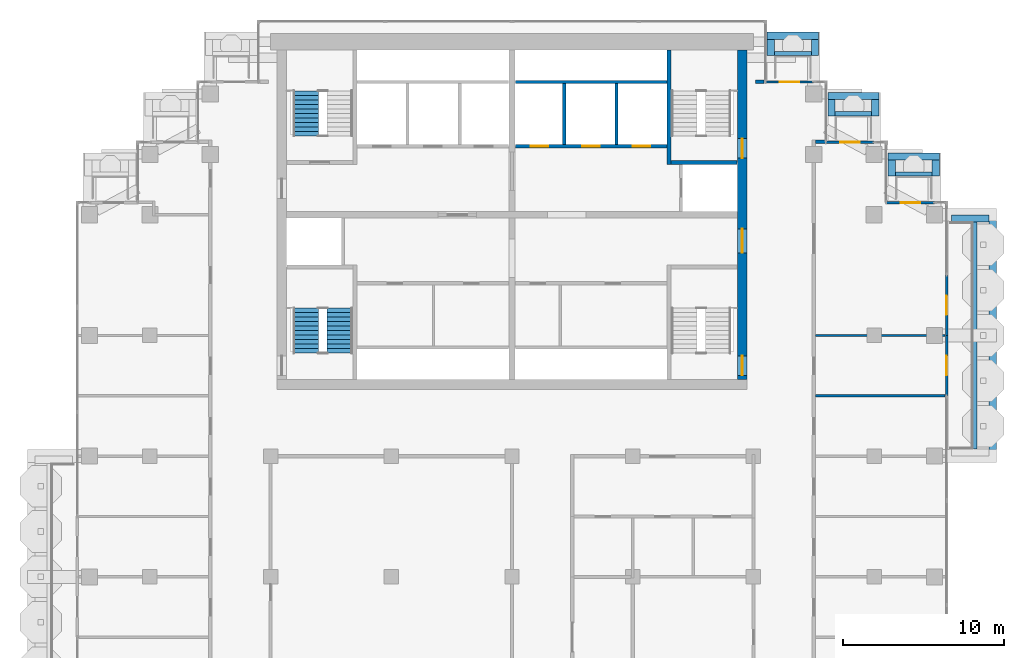
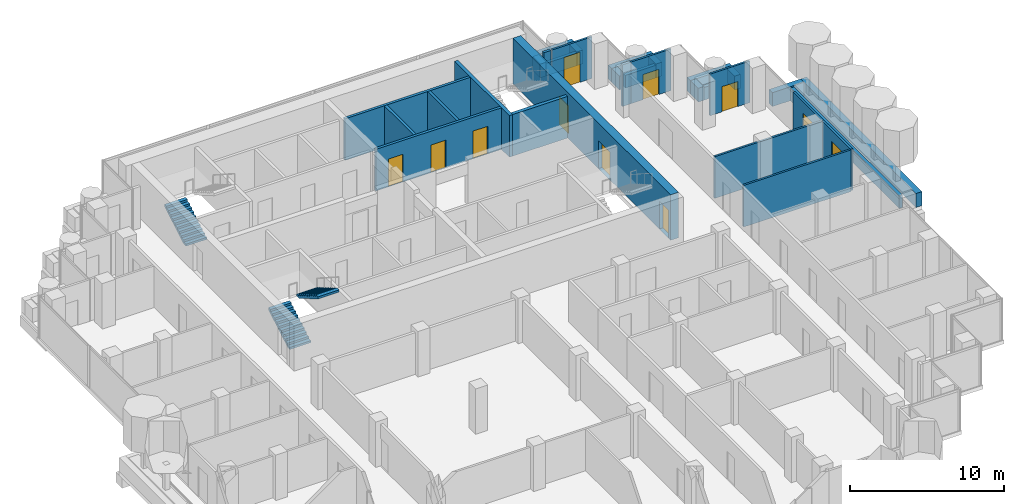
# One storey, part 14 of 19: 31 walls, 11 doors, 3 stair flights, 11 openings, 2 elements without a shape of their own.
"""IFC4 building model written with IfcOpenShell, lengths in metres."""

from ifc_helpers import new_model, si_unit, direction, frame, frame_2d, origin, place, context, subcontext, project, spatial, polyline, rectangle, outline, extrude, material, layer, layer_set, type_object, element, fill, aggregate, save


model = new_model("IFC4")

# Units and contexts
model_context = context("Model", 3, precision=1e-05, world=origin(), true_north=direction((0.0, 1.0)))
body_context = subcontext(model_context, "Body", "Model", "MODEL_VIEW")
ifc_project = project(units=[si_unit("LENGTHUNIT", "METRE"), si_unit("AREAUNIT", "SQUARE_METRE"), si_unit("VOLUMEUNIT", "CUBIC_METRE"), si_unit("PLANEANGLEUNIT", "RADIAN"), si_unit("MASSUNIT", "GRAM", prefix="KILO")], contexts=[model_context])

# Site, building, storey
site_placement = place(None, origin())
site = spatial("IfcSite", under=ifc_project, at=site_placement, CompositionType="ELEMENT")
building_placement = place(site_placement, origin())
building = spatial("IfcBuilding", under=site, at=building_placement, Name="Pilkhan Gate Tower", CompositionType="ELEMENT")
storey_placement = place(building_placement, frame((0.0, 0.0, 217.5)))
storey = spatial("IfcBuildingStorey", under=building, at=storey_placement, Name="L56", CompositionType="ELEMENT", Elevation=217.5)

# Walls
ifc_material_1 = material(Name="Concrete C40/50", Category="concrete")
ifc_layer_1 = layer(ifc_material_1, 0.25)
ifc_layer_set_1 = layer_set([ifc_layer_1], Name="Balcony planter BP250")
wall_type_1 = type_object("IfcWallType", Name="Balcony planter BP250", PredefinedType="USERDEFINED", material=ifc_layer_set_1)
wall_1_placement = place(storey_placement, frame((103.77490234375, 67.949951171875, 0.0), z_axis=(0.0, 0.0, 1.0), x_axis=(0.0, 1.0, 0.0)))
element("IfcWall", 1, at=wall_1_placement, inside=storey, type_object=wall_type_1, Name="Balcony planter L56 E", ObjectType="BALCONY PLANTER", PredefinedType="USERDEFINED", context=body_context, shape_type="SweptSolid", body=[
    extrude(rectangle(XDim=14.10009765625, YDim=0.25, at=frame_2d((7.050048828125, 0.0))), origin(), (0.0, 0.0, 1.0), 1.0),
])
wall_2_placement = place(storey_placement, frame((91.300048828125, 92.52490234375, 0.0), z_axis=(0.0, 0.0, 1.0), x_axis=(1.0, 0.0, 0.0)))
element("IfcWall", 2, at=wall_2_placement, inside=storey, type_object=wall_type_1, Name="Balcony planter L56 N", ObjectType="BALCONY PLANTER", PredefinedType="USERDEFINED", context=body_context, shape_type="SweptSolid", body=[
    extrude(rectangle(XDim=2.300048828125, YDim=0.25, at=frame_2d((1.14990234375, 0.0))), origin(), (0.0, 0.0, 1.0), 1.0),
])
for number, where, z_axis, x_axis, name in (
    (3, (95.070068359375, 88.77490234375, 0.0), (0.0, 0.0, 1.0), (1.0, 0.0, 0.0), "Balcony planter L56 N"),
    (4, (98.820068359375, 85.02490234375, 0.0), (0.0, 0.0, 1.0), (1.0, 0.0, 0.0), "Balcony planter L56 N"),
):
    element("IfcWall", number, at=place(storey_placement, frame(where, z_axis=z_axis, x_axis=x_axis)), inside=storey, type_object=wall_type_1, Name=name, ObjectType="BALCONY PLANTER", PredefinedType="USERDEFINED", context=body_context, shape_type="SweptSolid", body=[
        extrude(rectangle(XDim=2.280029296875, YDim=0.25, at=frame_2d((1.14013671875, 0.0))), origin(), (0.0, 0.0, 1.0), 1.0),
    ])
ifc_material_2 = material(Name="Board-marked Concrete C40/50", Category="concrete")
ifc_layer_2 = layer(ifc_material_2, 0.449951171875)
ifc_layer_set_2 = layer_set([ifc_layer_2], Name="Balcony planter lip BL450")
wall_type_2 = type_object("IfcWallType", Name="Balcony planter lip BL450", PredefinedType="USERDEFINED", material=ifc_layer_set_2)
wall_3_placement = place(storey_placement, frame((104.875, 67.5, 0.0), z_axis=(0.0, 0.0, 1.0), x_axis=(0.0, 1.0, 0.0)))
element("IfcWall", 5, at=wall_3_placement, inside=storey, type_object=wall_type_2, Name="Balcony planter L56 E", ObjectType="BALCONY PLANTER", PredefinedType="USERDEFINED", context=body_context, shape_type="SweptSolid", body=[
    extrude(rectangle(XDim=15.0, YDim=0.449951171875, at=frame_2d((7.5, 0.0))), origin(), (0.0, 0.0, 1.0), 1.10009765625),
])
wall_4_placement = place(storey_placement, frame((102.300048828125, 82.27490234375, 0.0), z_axis=(0.0, 0.0, 1.0), x_axis=(1.0, 0.0, 0.0)))
element("IfcWall", 6, at=wall_4_placement, inside=storey, type_object=wall_type_2, Name="Balcony planter L56 E", ObjectType="BALCONY PLANTER", PredefinedType="USERDEFINED", context=body_context, shape_type="SweptSolid", body=[
    extrude(rectangle(XDim=2.349853515625, YDim=0.449951171875, at=frame_2d((1.1748046875, 0.0))), origin(), (0.0, 0.0, 1.0), 1.10009765625),
])
wall_5_placement = place(storey_placement, frame((90.85009765625, 93.625, 0.0), z_axis=(0.0, 0.0, 1.0), x_axis=(1.0, 0.0, 0.0)))
element("IfcWall", 7, at=wall_5_placement, inside=storey, type_object=wall_type_2, Name="Balcony planter L56 N", ObjectType="BALCONY PLANTER", PredefinedType="USERDEFINED", context=body_context, shape_type="SweptSolid", body=[
    extrude(rectangle(XDim=3.199951171875, YDim=0.449951171875, at=frame_2d((1.60009765625, 0.0))), origin(), (0.0, 0.0, 1.0), 1.10009765625),
])
for number, where, z_axis, x_axis, name in (
    (8, (91.074951171875, 92.39990234375, 0.0), (0.0, 0.0, 1.0), (0.0, 1.0, 0.0), "Balcony planter L56 N"),
    (9, (93.824951171875, 92.39990234375, 0.0), (0.0, 0.0, 1.0), (0.0, 1.0, 0.0), "Balcony planter L56 N"),
):
    element("IfcWall", number, at=place(storey_placement, frame(where, z_axis=z_axis, x_axis=x_axis)), inside=storey, type_object=wall_type_2, Name=name, ObjectType="BALCONY PLANTER", PredefinedType="USERDEFINED", context=body_context, shape_type="SweptSolid", body=[
        extrude(rectangle(XDim=1.0, YDim=0.449951171875, at=frame_2d((0.5, 0.0))), origin(), (0.0, 0.0, 1.0), 1.10009765625),
    ])
wall_6_placement = place(storey_placement, frame((94.6201171875, 89.875, 0.0), z_axis=(0.0, 0.0, 1.0), x_axis=(1.0, 0.0, 0.0)))
element("IfcWall", 10, at=wall_6_placement, inside=storey, type_object=wall_type_2, Name="Balcony planter L56 N", ObjectType="BALCONY PLANTER", PredefinedType="USERDEFINED", context=body_context, shape_type="SweptSolid", body=[
    extrude(rectangle(XDim=3.179931640625, YDim=0.449951171875, at=frame_2d((1.58984375, 0.0))), origin(), (0.0, 0.0, 1.0), 1.10009765625),
])
for number, where, z_axis, x_axis, name in (
    (11, (94.844970703125, 88.64990234375, 0.0), (0.0, 0.0, 1.0), (0.0, 1.0, 0.0), "Balcony planter L56 N"),
    (12, (97.574951171875, 88.64990234375, 0.0), (0.0, 0.0, 1.0), (0.0, 1.0, 0.0), "Balcony planter L56 N"),
):
    element("IfcWall", number, at=place(storey_placement, frame(where, z_axis=z_axis, x_axis=x_axis)), inside=storey, type_object=wall_type_2, Name=name, ObjectType="BALCONY PLANTER", PredefinedType="USERDEFINED", context=body_context, shape_type="SweptSolid", body=[
        extrude(rectangle(XDim=1.0, YDim=0.449951171875, at=frame_2d((0.5, 0.0))), origin(), (0.0, 0.0, 1.0), 1.10009765625),
    ])
wall_7_placement = place(storey_placement, frame((98.3701171875, 86.125, 0.0), z_axis=(0.0, 0.0, 1.0), x_axis=(1.0, 0.0, 0.0)))
element("IfcWall", 13, at=wall_7_placement, inside=storey, type_object=wall_type_2, Name="Balcony planter L56 N", ObjectType="BALCONY PLANTER", PredefinedType="USERDEFINED", context=body_context, shape_type="SweptSolid", body=[
    extrude(rectangle(XDim=3.179931640625, YDim=0.449951171875, at=frame_2d((1.58984375, 0.0))), origin(), (0.0, 0.0, 1.0), 1.10009765625),
])
for number, where, z_axis, x_axis, name in (
    (14, (98.594970703125, 84.89990234375, 0.0), (0.0, 0.0, 1.0), (0.0, 1.0, 0.0), "Balcony planter L56 N"),
    (15, (101.324951171875, 84.89990234375, 0.0), (0.0, 0.0, 1.0), (0.0, 1.0, 0.0), "Balcony planter L56 N"),
):
    element("IfcWall", number, at=place(storey_placement, frame(where, z_axis=z_axis, x_axis=x_axis)), inside=storey, type_object=wall_type_2, Name=name, ObjectType="BALCONY PLANTER", PredefinedType="USERDEFINED", context=body_context, shape_type="SweptSolid", body=[
        extrude(rectangle(XDim=1.0, YDim=0.449951171875, at=frame_2d((0.5, 0.0))), origin(), (0.0, 0.0, 1.0), 1.10009765625),
    ])

# Wall, openings, doors
ifc_material_3 = material(Name="Concrete C50/60", Category="concrete")
ifc_layer_3 = layer(ifc_material_3, 0.60009765625)
ifc_layer_set_3 = layer_set([ifc_layer_3], Name="Core wall CW600 C50/60")
wall_type_3 = type_object("IfcWallType", Name="Core wall CW600 C50/60", PredefinedType="SHEAR", material=ifc_layer_set_3)
wall_8_placement = place(storey_placement, frame((89.300048828125, 72.25, 0.0), z_axis=(0.0, 0.0, 1.0), x_axis=(0.0, 1.0, 0.0)))
wall_8 = element("IfcWall", 16, at=wall_8_placement, inside=storey, type_object=wall_type_3, Name="Core wall E L56", PredefinedType="SHEAR", context=body_context, shape_type="SweptSolid", body=[
    extrude(rectangle(XDim=20.5, YDim=0.60009765625, at=frame_2d((10.25, 0.0))), origin(), (0.0, 0.0, 1.0), 3.60009765625),
])
opening_1_placement = place(wall_8_placement, frame((0.27490234375, 0.0, 0.0)))
opening_1 = element("IfcOpeningElement", 17, at=opening_1_placement, cuts=wall_8, Name="Opening L56-03", PredefinedType="OPENING", context=body_context, shape_type="SweptSolid", body=[
    extrude(rectangle(XDim=1.199951171875, YDim=2.199951171875, at=frame_2d((0.60009765625, 1.10009765625))), frame((0.0, 0.31005859375, 0.0), z_axis=(0.0, -1.0, 0.0), x_axis=(1.0, 0.0, 0.0)), (0.0, 0.0, 1.0), 0.6201171875),
])
opening_2_placement = place(wall_8_placement, frame((13.77490234375, 0.0, 0.0)))
opening_2 = element("IfcOpeningElement", 18, at=opening_2_placement, cuts=wall_8, Name="Opening L56-05", PredefinedType="OPENING", context=body_context, shape_type="SweptSolid", body=[
    extrude(rectangle(XDim=1.199951171875, YDim=2.199951171875, at=frame_2d((0.60009765625, 1.10009765625))), frame((0.0, 0.31005859375, 0.0), z_axis=(0.0, -1.0, 0.0), x_axis=(1.0, 0.0, 0.0)), (0.0, 0.0, 1.0), 0.6201171875),
])
opening_3_placement = place(wall_8_placement, frame((7.875, 0.0, 0.0)))
opening_3 = element("IfcOpeningElement", 19, at=opening_3_placement, cuts=wall_8, Name="Opening L56-06", PredefinedType="OPENING", context=body_context, shape_type="SweptSolid", body=[
    extrude(rectangle(XDim=1.5, YDim=2.199951171875, at=frame_2d((0.75, 1.10009765625))), frame((0.0, 0.31005859375, 0.0), z_axis=(0.0, -1.0, 0.0), x_axis=(1.0, 0.0, 0.0)), (0.0, 0.0, 1.0), 0.6201171875),
])
ifc_material_4 = material(Name="Steel framed glazed door, 60 minute fire resisting", Category="steel")
door_type_1 = type_object("IfcDoorType", Name="Lobby door D09 1500x2200", OperationType="DOUBLE_DOOR_SINGLE_SWING", PredefinedType="DOOR", material=ifc_material_4)
door_1_placement = place(opening_3_placement, origin())
door_1 = element("IfcDoor", 20, at=door_1_placement, inside=storey, type_object=door_type_1, Name="Core door", OperationType="DOUBLE_DOOR_SINGLE_SWING", OverallHeight=2.199951171875, OverallWidth=1.5, PredefinedType="DOOR", context=body_context, shape_type="SweptSolid", body=[
    extrude(rectangle(XDim=1.5, YDim=2.199951171875, at=frame_2d((0.75, 1.10009765625))), frame((0.0, 0.02490234375, 0.0), z_axis=(0.0, -1.0, 0.0), x_axis=(1.0, 0.0, 0.0)), (0.0, 0.0, 1.0), 0.050048828125),
])
fill(opening_3, door_1)
ifc_material_5 = material(Name="Steel door, 120 minute fire resisting, panic bar", Category="steel")
door_type_2 = type_object("IfcDoorType", Name="Stair door D11 1200x2200", OperationType="SINGLE_SWING_LEFT", PredefinedType="DOOR", material=ifc_material_5)
door_2_placement = place(opening_1_placement, origin())
door_2 = element("IfcDoor", 21, at=door_2_placement, inside=storey, type_object=door_type_2, Name="Stair ST1 door", OperationType="SINGLE_SWING_LEFT", OverallHeight=2.199951171875, OverallWidth=1.199951171875, PredefinedType="DOOR", context=body_context, shape_type="SweptSolid", body=[
    extrude(rectangle(XDim=1.199951171875, YDim=2.199951171875, at=frame_2d((0.60009765625, 1.10009765625))), frame((0.0, 0.02490234375, 0.0), z_axis=(0.0, -1.0, 0.0), x_axis=(1.0, 0.0, 0.0)), (0.0, 0.0, 1.0), 0.050048828125),
])
fill(opening_1, door_2)
door_3_placement = place(opening_2_placement, origin())
door_3 = element("IfcDoor", 22, at=door_3_placement, inside=storey, type_object=door_type_2, Name="Stair ST4 door", OperationType="SINGLE_SWING_LEFT", OverallHeight=2.199951171875, OverallWidth=1.199951171875, PredefinedType="DOOR", context=body_context, shape_type="SweptSolid", body=[
    extrude(rectangle(XDim=1.199951171875, YDim=2.199951171875, at=frame_2d((0.60009765625, 1.10009765625))), frame((0.0, 0.02490234375, 0.0), z_axis=(0.0, -1.0, 0.0), x_axis=(1.0, 0.0, 0.0)), (0.0, 0.0, 1.0), 0.050048828125),
])
fill(opening_2, door_3)

# Walls
ifc_material_6 = material(Name="Dense blockwork", Category="masonry")
ifc_layer_4 = layer(ifc_material_6, 0.199951171875)
ifc_layer_set_4 = layer_set([ifc_layer_4], Name="Corridor wall FW200")
wall_type_4 = type_object("IfcWallType", Name="Corridor wall FW200", PredefinedType="PARTITIONING", material=ifc_layer_set_4)
wall_9_placement = place(storey_placement, frame((93.85009765625, 87.030029296875, 0.0), z_axis=(0.0, 0.0, 1.0), x_axis=(1.0, 0.0, 0.0)))
element("IfcWall", 23, at=wall_9_placement, inside=storey, type_object=wall_type_4, Name="Partition L56", PredefinedType="PARTITIONING", context=body_context, shape_type="SweptSolid", body=[
    extrude(rectangle(XDim=0.639892578125, YDim=0.199951171875, at=frame_2d((0.31982421875, 0.0))), origin(), (0.0, 0.0, 1.0), 3.300048828125),
])
wall_10_placement = place(storey_placement, frame((90.1201171875, 90.764892578125, 0.0), z_axis=(0.0, 0.0, 1.0), x_axis=(1.0, 0.0, 0.0)))
element("IfcWall", 24, at=wall_10_placement, inside=storey, type_object=wall_type_4, Name="Partition L56", PredefinedType="PARTITIONING", context=body_context, shape_type="SweptSolid", body=[
    extrude(rectangle(XDim=0.52490234375, YDim=0.199951171875, at=frame_2d((0.262451171875, 0.0))), origin(), (0.0, 0.0, 1.0), 3.300048828125),
])

# Wall, opening, door
ifc_material_7 = material(Name="Pale anodised aluminium, clear laminated glazing", Category="aluminium")
ifc_layer_5 = layer(ifc_material_7, 0.14990234375)
ifc_layer_set_5 = layer_set([ifc_layer_5], Name="Facade infill wall IW150")
wall_type_5 = type_object("IfcWallType", Name="Facade infill wall IW150", PredefinedType="SOLIDWALL", material=ifc_layer_set_5)
wall_11_placement = place(storey_placement, frame((102.0, 71.25, 0.0), z_axis=(0.0, 0.0, 1.0), x_axis=(0.0, 1.0, 0.0)))
wall_11 = element("IfcWall", 25, at=wall_11_placement, inside=storey, type_object=wall_type_5, Name="Infill wall L56 E", PredefinedType="SOLIDWALL", context=body_context, shape_type="SweptSolid", body=[
    extrude(rectangle(XDim=3.75, YDim=0.14990234375, at=frame_2d((1.875, 0.0))), origin(), (0.0, 0.0, 1.0), 3.300048828125),
])
opening_4_placement = place(wall_11_placement, frame((1.27490234375, 0.0, 0.0)))
opening_4 = element("IfcOpeningElement", 26, at=opening_4_placement, cuts=wall_11, Name="Opening D1", PredefinedType="OPENING", context=body_context, shape_type="SweptSolid", body=[
    extrude(rectangle(XDim=1.199951171875, YDim=2.39990234375, at=frame_2d((0.60009765625, 1.199951171875))), frame((0.0, 0.0849609375, 0.0), z_axis=(0.0, -1.0, 0.0), x_axis=(1.0, 0.0, 0.0)), (0.0, 0.0, 1.0), 0.169921875),
])
ifc_material_8 = material(Name="Pale anodised aluminium, clear glazing", Category="aluminium")
door_type_3 = type_object("IfcDoorType", Name="Balcony door D1 1200x2400", OperationType="SINGLE_SWING_LEFT", PredefinedType="DOOR", material=ifc_material_8)
door_4_placement = place(opening_4_placement, origin())
door_4 = element("IfcDoor", 27, at=door_4_placement, inside=storey, type_object=door_type_3, Name="Balcony door L56", OperationType="SINGLE_SWING_LEFT", OverallHeight=2.39990234375, OverallWidth=1.199951171875, PredefinedType="DOOR", context=body_context, shape_type="SweptSolid", body=[
    extrude(rectangle(XDim=1.199951171875, YDim=2.39990234375, at=frame_2d((0.60009765625, 1.199951171875))), frame((0.0, 0.02490234375, 0.0), z_axis=(0.0, -1.0, 0.0), x_axis=(1.0, 0.0, 0.0)), (0.0, 0.0, 1.0), 0.050048828125),
])
fill(opening_4, door_4)

wall_12_placement = place(storey_placement, frame((102.0, 75.0, 0.0), z_axis=(0.0, 0.0, 1.0), x_axis=(0.0, 1.0, 0.0)))
wall_12 = element("IfcWall", 28, at=wall_12_placement, inside=storey, type_object=wall_type_5, Name="Infill wall L56 E", PredefinedType="SOLIDWALL", context=body_context, shape_type="SweptSolid", body=[
    extrude(rectangle(XDim=3.75, YDim=0.14990234375, at=frame_2d((1.875, 0.0))), origin(), (0.0, 0.0, 1.0), 3.300048828125),
])
opening_5_placement = place(wall_12_placement, frame((1.27490234375, 0.0, 0.0)))
opening_5 = element("IfcOpeningElement", 29, at=opening_5_placement, cuts=wall_12, Name="Opening D1", PredefinedType="OPENING", context=body_context, shape_type="SweptSolid", body=[
    extrude(rectangle(XDim=1.199951171875, YDim=2.39990234375, at=frame_2d((0.60009765625, 1.199951171875))), frame((0.0, 0.0849609375, 0.0), z_axis=(0.0, -1.0, 0.0), x_axis=(1.0, 0.0, 0.0)), (0.0, 0.0, 1.0), 0.169921875),
])
door_5_placement = place(opening_5_placement, origin())
door_5 = element("IfcDoor", 30, at=door_5_placement, inside=storey, type_object=door_type_3, Name="Balcony door L56", OperationType="SINGLE_SWING_LEFT", OverallHeight=2.39990234375, OverallWidth=1.199951171875, PredefinedType="DOOR", context=body_context, shape_type="SweptSolid", body=[
    extrude(rectangle(XDim=1.199951171875, YDim=2.39990234375, at=frame_2d((0.60009765625, 1.199951171875))), frame((0.0, 0.02490234375, 0.0), z_axis=(0.0, -1.0, 0.0), x_axis=(1.0, 0.0, 0.0)), (0.0, 0.0, 1.0), 0.050048828125),
])
fill(opening_5, door_5)

wall_13_placement = place(storey_placement, frame((98.25, 83.25, 0.0), z_axis=(0.0, 0.0, 1.0), x_axis=(1.0, 0.0, 0.0)))
wall_13 = element("IfcWall", 31, at=wall_13_placement, inside=storey, type_object=wall_type_5, Name="Infill wall L56 N", PredefinedType="SOLIDWALL", context=body_context, shape_type="SweptSolid", body=[
    extrude(rectangle(XDim=3.0, YDim=0.14990234375, at=frame_2d((1.5, 0.0))), origin(), (0.0, 0.0, 1.0), 3.300048828125),
])
opening_6_placement = place(wall_13_placement, frame((0.89990234375, 0.0, 0.0)))
opening_6 = element("IfcOpeningElement", 32, at=opening_6_placement, cuts=wall_13, Name="Opening D1L", PredefinedType="OPENING", context=body_context, shape_type="SweptSolid", body=[
    extrude(rectangle(XDim=1.199951171875, YDim=2.0, at=frame_2d((0.60009765625, 1.0))), frame((0.0, 0.0849609375, 0.0), z_axis=(0.0, -1.0, 0.0), x_axis=(1.0, 0.0, 0.0)), (0.0, 0.0, 1.0), 0.169921875),
])
door_type_4 = type_object("IfcDoorType", Name="Balcony door D1L 1200x2000", OperationType="SINGLE_SWING_LEFT", PredefinedType="DOOR", material=ifc_material_8)
door_6_placement = place(opening_6_placement, origin())
door_6 = element("IfcDoor", 33, at=door_6_placement, inside=storey, type_object=door_type_4, Name="Balcony door L56", OperationType="SINGLE_SWING_LEFT", OverallHeight=2.0, OverallWidth=1.199951171875, PredefinedType="DOOR", context=body_context, shape_type="SweptSolid", body=[
    extrude(rectangle(XDim=1.199951171875, YDim=2.0, at=frame_2d((0.60009765625, 1.0))), frame((0.0, 0.02490234375, 0.0), z_axis=(0.0, -1.0, 0.0), x_axis=(1.0, 0.0, 0.0)), (0.0, 0.0, 1.0), 0.050048828125),
])
fill(opening_6, door_6)

wall_14_placement = place(storey_placement, frame((94.5, 87.0, 0.0), z_axis=(0.0, 0.0, 1.0), x_axis=(1.0, 0.0, 0.0)))
wall_14 = element("IfcWall", 34, at=wall_14_placement, inside=storey, type_object=wall_type_5, Name="Infill wall L56 N", PredefinedType="SOLIDWALL", context=body_context, shape_type="SweptSolid", body=[
    extrude(rectangle(XDim=3.0, YDim=0.14990234375, at=frame_2d((1.5, 0.0))), origin(), (0.0, 0.0, 1.0), 3.300048828125),
])
opening_7_placement = place(wall_14_placement, frame((0.89990234375, 0.0, 0.0)))
opening_7 = element("IfcOpeningElement", 35, at=opening_7_placement, cuts=wall_14, Name="Opening D1L", PredefinedType="OPENING", context=body_context, shape_type="SweptSolid", body=[
    extrude(rectangle(XDim=1.199951171875, YDim=2.0, at=frame_2d((0.60009765625, 1.0))), frame((0.0, 0.0849609375, 0.0), z_axis=(0.0, -1.0, 0.0), x_axis=(1.0, 0.0, 0.0)), (0.0, 0.0, 1.0), 0.169921875),
])
door_7_placement = place(opening_7_placement, origin())
door_7 = element("IfcDoor", 36, at=door_7_placement, inside=storey, type_object=door_type_4, Name="Balcony door L56", OperationType="SINGLE_SWING_LEFT", OverallHeight=2.0, OverallWidth=1.199951171875, PredefinedType="DOOR", context=body_context, shape_type="SweptSolid", body=[
    extrude(rectangle(XDim=1.199951171875, YDim=2.0, at=frame_2d((0.60009765625, 1.0))), frame((0.0, 0.02490234375, 0.0), z_axis=(0.0, -1.0, 0.0), x_axis=(1.0, 0.0, 0.0)), (0.0, 0.0, 1.0), 0.050048828125),
])
fill(opening_7, door_7)

wall_15_placement = place(storey_placement, frame((90.75, 90.75, 0.0), z_axis=(0.0, 0.0, 1.0), x_axis=(1.0, 0.0, 0.0)))
wall_15 = element("IfcWall", 37, at=wall_15_placement, inside=storey, type_object=wall_type_5, Name="Infill wall L56 N", PredefinedType="SOLIDWALL", context=body_context, shape_type="SweptSolid", body=[
    extrude(rectangle(XDim=3.0, YDim=0.14990234375, at=frame_2d((1.5, 0.0))), origin(), (0.0, 0.0, 1.0), 3.300048828125),
])
opening_8_placement = place(wall_15_placement, frame((0.89990234375, 0.0, 0.0)))
opening_8 = element("IfcOpeningElement", 38, at=opening_8_placement, cuts=wall_15, Name="Opening D1", PredefinedType="OPENING", context=body_context, shape_type="SweptSolid", body=[
    extrude(rectangle(XDim=1.199951171875, YDim=2.39990234375, at=frame_2d((0.60009765625, 1.199951171875))), frame((0.0, 0.0849609375, 0.0), z_axis=(0.0, -1.0, 0.0), x_axis=(1.0, 0.0, 0.0)), (0.0, 0.0, 1.0), 0.169921875),
])
door_8_placement = place(opening_8_placement, origin())
door_8 = element("IfcDoor", 39, at=door_8_placement, inside=storey, type_object=door_type_3, Name="Balcony door L56", OperationType="SINGLE_SWING_LEFT", OverallHeight=2.39990234375, OverallWidth=1.199951171875, PredefinedType="DOOR", context=body_context, shape_type="SweptSolid", body=[
    extrude(rectangle(XDim=1.199951171875, YDim=2.39990234375, at=frame_2d((0.60009765625, 1.199951171875))), frame((0.0, 0.02490234375, 0.0), z_axis=(0.0, -1.0, 0.0), x_axis=(1.0, 0.0, 0.0)), (0.0, 0.0, 1.0), 0.050048828125),
])
fill(opening_8, door_8)

# Walls
ifc_material_9 = material(Name="Blockwork partition, plastered both sides", Category="masonry")
ifc_layer_6 = layer(ifc_material_9, 0.14990234375)
ifc_layer_set_6 = layer_set([ifc_layer_6], Name="Partition PW150")
wall_type_6 = type_object("IfcWallType", Name="Partition PW150", PredefinedType="PARTITIONING", material=ifc_layer_set_6)
for number, where, z_axis, x_axis, name in (
    (40, (93.85009765625, 71.25, 0.0), (0.0, 0.0, 1.0), (1.0, 0.0, 0.0), "Partition L56"),
    (41, (93.85009765625, 75.0, 0.0), (0.0, 0.0, 1.0), (1.0, 0.0, 0.0), "Partition L56"),
):
    element("IfcWall", number, at=place(storey_placement, frame(where, z_axis=z_axis, x_axis=x_axis)), inside=storey, type_object=wall_type_6, Name=name, PredefinedType="PARTITIONING", context=body_context, shape_type="SweptSolid", body=[
        extrude(rectangle(XDim=8.06494140625, YDim=0.14990234375, at=frame_2d((4.032470703125, 0.0))), origin(), (0.0, 0.0, 1.0), 3.300048828125),
    ])

# Wall, openings, doors
ifc_material_10 = material(Name="Reinforced blockwork shaft wall, 120 minute fire resisting", Category="masonry")
ifc_layer_7 = layer(ifc_material_10, 0.199951171875)
ifc_layer_set_7 = layer_set([ifc_layer_7], Name="Shaft wall SW200")
wall_type_7 = type_object("IfcWallType", Name="Shaft wall SW200", PredefinedType="PARTITIONING", material=ifc_layer_set_7)
wall_16_placement = place(storey_placement, frame((75.2099609375, 86.75, 0.0), z_axis=(0.0, 0.0, 1.0), x_axis=(1.0, 0.0, 0.0)))
wall_16 = element("IfcWall", 42, at=wall_16_placement, inside=storey, type_object=wall_type_7, Name="Partition L56", PredefinedType="PARTITIONING", context=body_context, shape_type="SweptSolid", body=[
    extrude(rectangle(XDim=9.4150390625, YDim=0.199951171875, at=frame_2d((4.70751953125, 0.0))), origin(), (0.0, 0.0, 1.0), 3.300048828125),
])
opening_9_placement = place(wall_16_placement, frame((0.949951171875, 0.0, 0.0)))
opening_9 = element("IfcOpeningElement", 43, at=opening_9_placement, cuts=wall_16, Name="Opening LD", PredefinedType="OPENING", context=body_context, shape_type="SweptSolid", body=[
    extrude(rectangle(XDim=1.10009765625, YDim=2.199951171875, at=frame_2d((0.550048828125, 1.10009765625))), frame((0.0, 0.10986328125, 0.0), z_axis=(0.0, -1.0, 0.0), x_axis=(1.0, 0.0, 0.0)), (0.0, 0.0, 1.0), 0.219970703125),
])
opening_10_placement = place(wall_16_placement, frame((4.139892578125, 0.0, 0.0)))
opening_10 = element("IfcOpeningElement", 44, at=opening_10_placement, cuts=wall_16, Name="Opening LD", PredefinedType="OPENING", context=body_context, shape_type="SweptSolid", body=[
    extrude(rectangle(XDim=1.10009765625, YDim=2.199951171875, at=frame_2d((0.550048828125, 1.10009765625))), frame((0.0, 0.10986328125, 0.0), z_axis=(0.0, -1.0, 0.0), x_axis=(1.0, 0.0, 0.0)), (0.0, 0.0, 1.0), 0.219970703125),
])
opening_11_placement = place(wall_16_placement, frame((7.2900390625, 0.0, 0.0)))
opening_11 = element("IfcOpeningElement", 45, at=opening_11_placement, cuts=wall_16, Name="Opening LD", PredefinedType="OPENING", context=body_context, shape_type="SweptSolid", body=[
    extrude(rectangle(XDim=1.10009765625, YDim=2.199951171875, at=frame_2d((0.550048828125, 1.10009765625))), frame((0.0, 0.10986328125, 0.0), z_axis=(0.0, -1.0, 0.0), x_axis=(1.0, 0.0, 0.0)), (0.0, 0.0, 1.0), 0.219970703125),
])
ifc_material_11 = material(Name="Stainless steel centre-opening landing door, 120 minute fire resisting", Category="steel")
door_type_5 = type_object("IfcDoorType", Name="Lift landing door LD 1100x2200", OperationType="DOUBLE_DOOR_SLIDING", PredefinedType="DOOR", material=ifc_material_11)
door_9_placement = place(opening_9_placement, origin())
door_9 = element("IfcDoor", 46, at=door_9_placement, inside=storey, type_object=door_type_5, Name="Landing door HR1", OperationType="DOUBLE_DOOR_SLIDING", OverallHeight=2.199951171875, OverallWidth=1.10009765625, PredefinedType="DOOR", context=body_context, shape_type="SweptSolid", body=[
    extrude(rectangle(XDim=1.10009765625, YDim=2.199951171875, at=frame_2d((0.550048828125, 1.10009765625))), frame((0.0, 0.02490234375, 0.0), z_axis=(0.0, -1.0, 0.0), x_axis=(1.0, 0.0, 0.0)), (0.0, 0.0, 1.0), 0.050048828125),
])
fill(opening_9, door_9)
door_10_placement = place(opening_10_placement, origin())
door_10 = element("IfcDoor", 47, at=door_10_placement, inside=storey, type_object=door_type_5, Name="Landing door HR2", OperationType="DOUBLE_DOOR_SLIDING", OverallHeight=2.199951171875, OverallWidth=1.10009765625, PredefinedType="DOOR", context=body_context, shape_type="SweptSolid", body=[
    extrude(rectangle(XDim=1.10009765625, YDim=2.199951171875, at=frame_2d((0.550048828125, 1.10009765625))), frame((0.0, 0.02490234375, 0.0), z_axis=(0.0, -1.0, 0.0), x_axis=(1.0, 0.0, 0.0)), (0.0, 0.0, 1.0), 0.050048828125),
])
fill(opening_10, door_10)
door_11_placement = place(opening_11_placement, origin())
door_11 = element("IfcDoor", 48, at=door_11_placement, inside=storey, type_object=door_type_5, Name="Landing door HR3", OperationType="DOUBLE_DOOR_SLIDING", OverallHeight=2.199951171875, OverallWidth=1.10009765625, PredefinedType="DOOR", context=body_context, shape_type="SweptSolid", body=[
    extrude(rectangle(XDim=1.10009765625, YDim=2.199951171875, at=frame_2d((0.550048828125, 1.10009765625))), frame((0.0, 0.02490234375, 0.0), z_axis=(0.0, -1.0, 0.0), x_axis=(1.0, 0.0, 0.0)), (0.0, 0.0, 1.0), 0.050048828125),
])
fill(opening_11, door_11)

# Walls
wall_17_placement = place(storey_placement, frame((75.2099609375, 90.75, 0.0), z_axis=(0.0, 0.0, 1.0), x_axis=(1.0, 0.0, 0.0)))
element("IfcWall", 49, at=wall_17_placement, inside=storey, type_object=wall_type_7, Name="Partition L56", PredefinedType="PARTITIONING", context=body_context, shape_type="SweptSolid", body=[
    extrude(rectangle(XDim=9.4150390625, YDim=0.199951171875, at=frame_2d((4.70751953125, 0.0))), origin(), (0.0, 0.0, 1.0), 3.300048828125),
])
for number, where, z_axis, x_axis, name in (
    (50, (78.25, 86.85009765625, 0.0), (0.0, 0.0, 1.0), (0.0, 1.0, 0.0), "Partition L56"),
    (51, (81.5, 86.85009765625, 0.0), (0.0, 0.0, 1.0), (0.0, 1.0, 0.0), "Partition L56"),
):
    element("IfcWall", number, at=place(storey_placement, frame(where, z_axis=z_axis, x_axis=x_axis)), inside=storey, type_object=wall_type_7, Name=name, PredefinedType="PARTITIONING", context=body_context, shape_type="SweptSolid", body=[
        extrude(rectangle(XDim=3.7998046875, YDim=0.199951171875, at=frame_2d((1.89990234375, 0.0))), origin(), (0.0, 0.0, 1.0), 3.300048828125),
    ])
ifc_material_12 = material(Name="Reinforced blockwork, 120 minute fire resisting", Category="masonry")
ifc_layer_8 = layer(ifc_material_12, 0.25)
ifc_layer_set_8 = layer_set([ifc_layer_8], Name="Stair enclosure wall SE250")
wall_type_8 = type_object("IfcWallType", Name="Stair enclosure wall SE250", PredefinedType="PARTITIONING", material=ifc_layer_set_8)
wall_18_placement = place(storey_placement, frame((84.875, 85.75, 0.0), z_axis=(0.0, 0.0, 1.0), x_axis=(1.0, 0.0, 0.0)))
element("IfcWall", 52, at=wall_18_placement, inside=storey, type_object=wall_type_8, Name="Partition L56", PredefinedType="PARTITIONING", context=body_context, shape_type="SweptSolid", body=[
    extrude(rectangle(XDim=4.114990234375, YDim=0.25, at=frame_2d((2.0576171875, 0.0))), origin(), (0.0, 0.0, 1.0), 3.300048828125),
])
wall_19_placement = place(storey_placement, frame((84.75, 85.625, 0.0), z_axis=(0.0, 0.0, 1.0), x_axis=(0.0, 1.0, 0.0)))
element("IfcWall", 53, at=wall_19_placement, inside=storey, type_object=wall_type_8, Name="Partition L56", PredefinedType="PARTITIONING", context=body_context, shape_type="SweptSolid", body=[
    extrude(rectangle(XDim=7.114990234375, YDim=0.25, at=frame_2d((3.5576171875, 0.0))), origin(), (0.0, 0.0, 1.0), 3.300048828125),
])

# Stair, stair flights
ifc_material_13 = material(Name="Concrete C40/50 precast", Category="concrete")
stair_type_1 = type_object("IfcStairType", Name="Stair ST2 164x280", PredefinedType="HALF_TURN_STAIR", material=ifc_material_13)
stair_1_placement = place(storey_placement, origin())
stair_1 = element("IfcStair", 54, at=stair_1_placement, inside=storey, type_object=stair_type_1, Name="Stair ST2 L56", PredefinedType="HALF_TURN_STAIR")
stair_flight_type_1 = type_object("IfcStairFlightType", Name="Stair flight ST2 164x280x11", PredefinedType="STRAIGHT", material=ifc_material_13)
stair_flight_1_placement = place(storey_placement, frame((62.18994140625, 73.89990234375, 0.0), z_axis=(0.0, 0.0, 1.0), x_axis=(0.0, 1.0, 0.0)))
stair_flight_1 = element("IfcStairFlight", 55, at=stair_flight_1_placement, type_object=stair_flight_type_1, Name="ST2 flight 1", NumberOfRisers=11, NumberOfTreads=10, PredefinedType="STRAIGHT", RiserHeight=0.163636364, TreadLength=0.28, context=body_context, shape_type="SweptSolid", body=[
    extrude(outline(polyline([(0.0, 0.0), (0.0, 0.16357421875), (0.280029296875, 0.16357421875), (0.280029296875, 0.327392578125), (0.56005859375, 0.327392578125), (0.56005859375, 0.490966796875), (0.840087890625, 0.490966796875), (0.840087890625, 0.654541015625), (1.1201171875, 0.654541015625), (1.1201171875, 0.818115234375), (1.39990234375, 0.818115234375), (1.39990234375, 0.98193359375), (1.679931640625, 0.98193359375), (1.679931640625, 1.1455078125), (1.9599609375, 1.1455078125), (1.9599609375, 1.30908203125), (2.239990234375, 1.30908203125), (2.239990234375, 1.47265625), (2.52001953125, 1.47265625), (2.52001953125, 1.636474609375), (2.800048828125, 1.636474609375), (2.800048828125, 1.800048828125), (2.800048828125, 1.462646484375), (0.297119140625, 0.0), (0.0, 0.0)])), frame((0.0, 0.7900390625, 0.0), z_axis=(0.0, -1.0, 0.0), x_axis=(1.0, 0.0, 0.0)), (0.0, 0.0, 1.0), 1.580078125),
])
stair_flight_2_placement = place(storey_placement, frame((64.31005859375, 76.699951171875, 1.800048828125), z_axis=(0.0, 0.0, 1.0), x_axis=(0.0, -1.0, 0.0)))
stair_flight_2 = element("IfcStairFlight", 56, at=stair_flight_2_placement, type_object=stair_flight_type_1, Name="ST2 flight 2", NumberOfRisers=11, NumberOfTreads=10, PredefinedType="STRAIGHT", RiserHeight=0.163636364, TreadLength=0.28, context=body_context, shape_type="SweptSolid", body=[
    extrude(outline(polyline([(0.0, 0.0), (0.0, 0.16357421875), (0.280029296875, 0.16357421875), (0.280029296875, 0.327392578125), (0.56005859375, 0.327392578125), (0.56005859375, 0.490966796875), (0.840087890625, 0.490966796875), (0.840087890625, 0.654541015625), (1.1201171875, 0.654541015625), (1.1201171875, 0.818115234375), (1.39990234375, 0.818115234375), (1.39990234375, 0.98193359375), (1.679931640625, 0.98193359375), (1.679931640625, 1.1455078125), (1.9599609375, 1.1455078125), (1.9599609375, 1.30908203125), (2.239990234375, 1.30908203125), (2.239990234375, 1.47265625), (2.52001953125, 1.47265625), (2.52001953125, 1.636474609375), (2.800048828125, 1.636474609375), (2.800048828125, 1.800048828125), (2.800048828125, 1.462646484375), (0.297119140625, 0.0), (0.0, 0.0)])), frame((0.0, 0.7900390625, 0.0), z_axis=(0.0, -1.0, 0.0), x_axis=(1.0, 0.0, 0.0)), (0.0, 0.0, 1.0), 1.580078125),
])
aggregate(stair_1, [stair_flight_1, stair_flight_2])

# Stair, stair flight
stair_type_2 = type_object("IfcStairType", Name="Stair ST3 164x280", PredefinedType="HALF_TURN_STAIR", material=ifc_material_13)
stair_2_placement = place(storey_placement, origin())
stair_2 = element("IfcStair", 57, at=stair_2_placement, inside=storey, type_object=stair_type_2, Name="Stair ST3 L56", PredefinedType="HALF_TURN_STAIR")
stair_flight_type_2 = type_object("IfcStairFlightType", Name="Stair flight ST3 164x280x11", PredefinedType="STRAIGHT", material=ifc_material_13)
stair_flight_3_placement = place(storey_placement, frame((62.18994140625, 87.39990234375, 0.0), z_axis=(0.0, 0.0, 1.0), x_axis=(0.0, 1.0, 0.0)))
stair_flight_3 = element("IfcStairFlight", 58, at=stair_flight_3_placement, type_object=stair_flight_type_2, Name="ST3 flight 1", NumberOfRisers=11, NumberOfTreads=10, PredefinedType="STRAIGHT", RiserHeight=0.163636364, TreadLength=0.28, context=body_context, shape_type="SweptSolid", body=[
    extrude(outline(polyline([(0.0, 0.0), (0.0, 0.16357421875), (0.280029296875, 0.16357421875), (0.280029296875, 0.327392578125), (0.56005859375, 0.327392578125), (0.56005859375, 0.490966796875), (0.840087890625, 0.490966796875), (0.840087890625, 0.654541015625), (1.1201171875, 0.654541015625), (1.1201171875, 0.818115234375), (1.39990234375, 0.818115234375), (1.39990234375, 0.98193359375), (1.679931640625, 0.98193359375), (1.679931640625, 1.1455078125), (1.9599609375, 1.1455078125), (1.9599609375, 1.30908203125), (2.239990234375, 1.30908203125), (2.239990234375, 1.47265625), (2.52001953125, 1.47265625), (2.52001953125, 1.636474609375), (2.800048828125, 1.636474609375), (2.800048828125, 1.800048828125), (2.800048828125, 1.462646484375), (0.297119140625, 0.0), (0.0, 0.0)])), frame((0.0, 0.7900390625, 0.0), z_axis=(0.0, -1.0, 0.0), x_axis=(1.0, 0.0, 0.0)), (0.0, 0.0, 1.0), 1.580078125),
])
aggregate(stair_2, [stair_flight_3])

save(model, "model.ifc")
